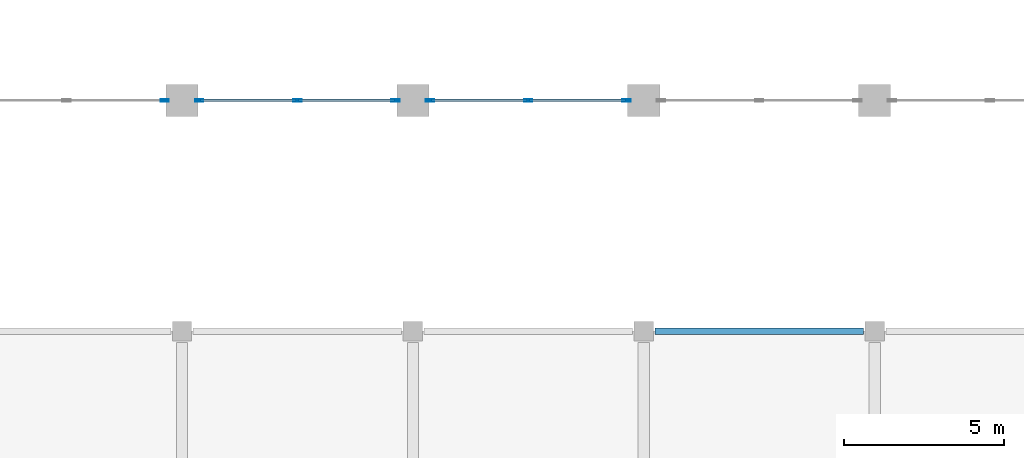
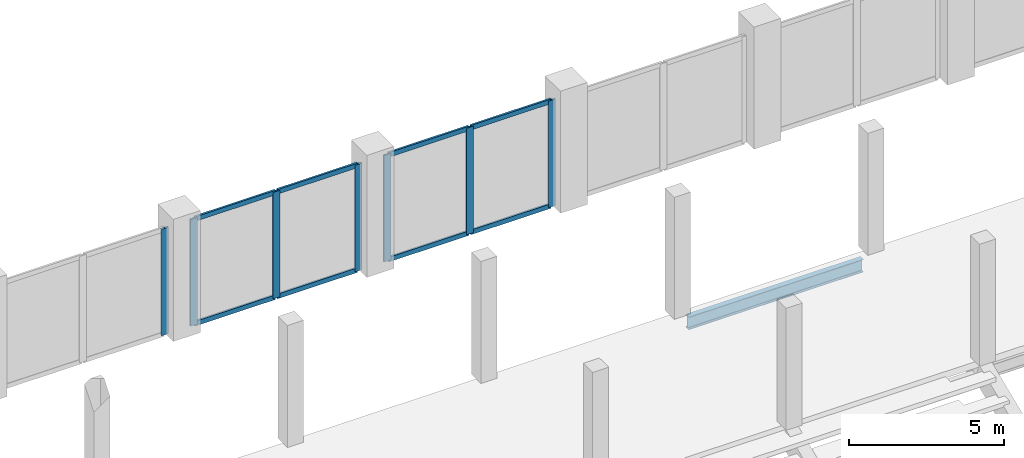
# One storey, part 34 of 99: 15 members, 1 beam, 3 elements without a shape of their own.
"""IFC4 building model written with IfcOpenShell, lengths in metres."""

from ifc_helpers import new_model, si_unit, direction, frame, origin, origin_2d, place, context, subcontext, project, spatial, hollow_rectangle, i_section, extrude, material, material_profile, profile_set, type_object, element, aggregate, save


model = new_model("IFC4")

# Units and contexts
model_context = context("Model", 3, precision=1e-05, world=origin(), true_north=direction((0.0, 1.0)))
body_context = subcontext(model_context, "Body", "Model", "MODEL_VIEW")
ifc_project = project(units=[si_unit("LENGTHUNIT", "METRE"), si_unit("AREAUNIT", "SQUARE_METRE"), si_unit("VOLUMEUNIT", "CUBIC_METRE"), si_unit("PLANEANGLEUNIT", "RADIAN"), si_unit("MASSUNIT", "GRAM", prefix="KILO")], contexts=[model_context])

# Site, building, storey
site_placement = place(None, origin())
site = spatial("IfcSite", under=ifc_project, at=site_placement, CompositionType="ELEMENT")
building_placement = place(site_placement, origin())
building = spatial("IfcBuilding", under=site, at=building_placement, Name="Vesperath Aquatics Centre", CompositionType="ELEMENT")
storey_placement = place(building_placement, frame((0.0, 0.0, 5.39990234375)))
storey = spatial("IfcBuildingStorey", under=building, at=storey_placement, Name="L01", CompositionType="ELEMENT", Elevation=5.39990234375)

# Beam
ifc_material_1 = material(Name="Steel Q355D", Category="steel")
ifc_material_profile_1 = material_profile(ifc_material_1, i_section(OverallWidth=0.199951171875, OverallDepth=0.5, WebThickness=0.010009765625, FlangeThickness=0.01611328125, FilletRadius=0.02001953125, at=origin_2d()), Name="HN 500x200x10x16")
ifc_profile_set_1 = profile_set([ifc_material_profile_1], Name="Steel Q355D")
beam_type = type_object("IfcBeamType", Name="BM-SP01", PredefinedType="SPANDREL", material=ifc_profile_set_1)
beam_placement = place(storey_placement, frame((79.550048828125, 79.199951171875, -0.510009765625), z_axis=(1.0, 0.0, 0.0), x_axis=(0.0, 1.0, 0.0)))
element("IfcBeam", 1, at=beam_placement, inside=storey, type_object=beam_type, Name="Floor Girder SP01 L01 M 12-13", PredefinedType="SPANDREL", context=body_context, shape_type="SweptSolid", body=[
    extrude(i_section(OverallWidth=0.199951171875, OverallDepth=0.5, WebThickness=0.010009765625, FlangeThickness=0.01611328125, FilletRadius=0.02001953125, at=origin_2d()), origin(), (0.0, 0.0, 1.0), 6.5),
])

# Curtain wall, member
ifc_material_2 = material(Name="Thermally broken anodised bronze aluminium curtain wall", Category="aluminium")
curtain_wall_type = type_object("IfcCurtainWallType", Name="CW-02", PredefinedType="NOTDEFINED", material=ifc_material_2)
curtain_wall_1_placement = place(storey_placement, origin())
curtain_wall_1 = element("IfcCurtainWall", 2, at=curtain_wall_1_placement, inside=storey, type_object=curtain_wall_type, Name="Facade Curtain Wall CW02 L01_N_08_12", PredefinedType="NOTDEFINED")
ifc_material_3 = material(Name="Thermally broken anodised aluminium", Category="aluminium")
ifc_material_profile_2 = material_profile(ifc_material_3, hollow_rectangle(XDim=0.074951171875, YDim=0.260009765625, WallThickness=0.006103515625, at=origin_2d()), Name="CWM 75x260x6")
ifc_profile_set_2 = profile_set([ifc_material_profile_2], Name="Thermally broken anodised aluminium")
member_type_1 = type_object("IfcMemberType", Name="MB-CWM1", PredefinedType="MULLION", material=ifc_profile_set_2)
member_1_placement = place(storey_placement, frame((64.262451171875, 86.39990234375, 0.0), z_axis=(0.0, 0.0, 1.0), x_axis=(0.0, 1.0, 0.0)))
member_1 = element("IfcMember", 3, at=member_1_placement, type_object=member_type_1, Name="CW02 mullion 3", PredefinedType="MULLION", context=body_context, shape_type="SweptSolid", body=[
    extrude(hollow_rectangle(XDim=0.074951171875, YDim=0.260009765625, WallThickness=0.006103515625, at=origin_2d()), origin(), (0.0, 0.0, 1.0), 4.190185546875),
])
aggregate(curtain_wall_1, [member_1])

# Curtain wall, members
curtain_wall_2_placement = place(storey_placement, origin())
curtain_wall_2 = element("IfcCurtainWall", 4, at=curtain_wall_2_placement, inside=storey, type_object=curtain_wall_type, Name="Facade Curtain Wall CW02 L01_N_09_12", PredefinedType="NOTDEFINED")
member_2_placement = place(storey_placement, frame((65.33740234375, 86.39990234375, 0.0), z_axis=(0.0, 0.0, 1.0), x_axis=(0.0, 1.0, 0.0)))
member_2 = element("IfcMember", 5, at=member_2_placement, type_object=member_type_1, Name="CW02 mullion 1", PredefinedType="MULLION", context=body_context, shape_type="SweptSolid", body=[
    extrude(hollow_rectangle(XDim=0.074951171875, YDim=0.260009765625, WallThickness=0.006103515625, at=origin_2d()), origin(), (0.0, 0.0, 1.0), 4.190185546875),
])
member_3_placement = place(storey_placement, frame((68.39990234375, 86.39990234375, 0.0), z_axis=(0.0, 0.0, 1.0), x_axis=(0.0, 1.0, 0.0)))
member_3 = element("IfcMember", 6, at=member_3_placement, type_object=member_type_1, Name="CW02 mullion 2", PredefinedType="MULLION", context=body_context, shape_type="SweptSolid", body=[
    extrude(hollow_rectangle(XDim=0.074951171875, YDim=0.260009765625, WallThickness=0.006103515625, at=origin_2d()), origin(), (0.0, 0.0, 1.0), 4.190185546875),
])
member_4_placement = place(storey_placement, frame((71.46240234375, 86.39990234375, 0.0), z_axis=(0.0, 0.0, 1.0), x_axis=(0.0, 1.0, 0.0)))
member_4 = element("IfcMember", 7, at=member_4_placement, type_object=member_type_1, Name="CW02 mullion 3", PredefinedType="MULLION", context=body_context, shape_type="SweptSolid", body=[
    extrude(hollow_rectangle(XDim=0.074951171875, YDim=0.260009765625, WallThickness=0.006103515625, at=origin_2d()), origin(), (0.0, 0.0, 1.0), 4.190185546875),
])

curtain_wall_3_placement = place(storey_placement, origin())
curtain_wall_3 = element("IfcCurtainWall", 8, at=curtain_wall_3_placement, inside=storey, type_object=curtain_wall_type, Name="Facade Curtain Wall CW02 L01_N_10_12", PredefinedType="NOTDEFINED")
member_5_placement = place(storey_placement, frame((72.53759765625, 86.39990234375, 0.0), z_axis=(0.0, 0.0, 1.0), x_axis=(0.0, 1.0, 0.0)))
member_5 = element("IfcMember", 9, at=member_5_placement, type_object=member_type_1, Name="CW02 mullion 1", PredefinedType="MULLION", context=body_context, shape_type="SweptSolid", body=[
    extrude(hollow_rectangle(XDim=0.074951171875, YDim=0.260009765625, WallThickness=0.006103515625, at=origin_2d()), origin(), (0.0, 0.0, 1.0), 4.190185546875),
])
member_6_placement = place(storey_placement, frame((75.60009765625, 86.39990234375, 0.0), z_axis=(0.0, 0.0, 1.0), x_axis=(0.0, 1.0, 0.0)))
member_6 = element("IfcMember", 10, at=member_6_placement, type_object=member_type_1, Name="CW02 mullion 2", PredefinedType="MULLION", context=body_context, shape_type="SweptSolid", body=[
    extrude(hollow_rectangle(XDim=0.074951171875, YDim=0.260009765625, WallThickness=0.006103515625, at=origin_2d()), origin(), (0.0, 0.0, 1.0), 4.190185546875),
])
member_7_placement = place(storey_placement, frame((78.66259765625, 86.39990234375, 0.0), z_axis=(0.0, 0.0, 1.0), x_axis=(0.0, 1.0, 0.0)))
member_7 = element("IfcMember", 11, at=member_7_placement, type_object=member_type_1, Name="CW02 mullion 3", PredefinedType="MULLION", context=body_context, shape_type="SweptSolid", body=[
    extrude(hollow_rectangle(XDim=0.074951171875, YDim=0.260009765625, WallThickness=0.006103515625, at=origin_2d()), origin(), (0.0, 0.0, 1.0), 4.190185546875),
])

# Member
ifc_material_profile_3 = material_profile(ifc_material_3, hollow_rectangle(XDim=0.074951171875, YDim=0.179931640625, WallThickness=0.0048828125, at=origin_2d()), Name="CWT 75x180x5")
ifc_profile_set_3 = profile_set([ifc_material_profile_3], Name="Thermally broken anodised aluminium")
member_type_2 = type_object("IfcMemberType", Name="MB-CWT1", PredefinedType="USERDEFINED", material=ifc_profile_set_3)
member_8_placement = place(storey_placement, frame((65.375, 86.39990234375, 0.03759765625), z_axis=(1.0, 0.0, 0.0), x_axis=(0.0, 1.0, 0.0)))
member_8 = element("IfcMember", 12, at=member_8_placement, type_object=member_type_2, Name="CW02 transom 1.1", ObjectType="TRANSOM", PredefinedType="USERDEFINED", context=body_context, shape_type="SweptSolid", body=[
    extrude(hollow_rectangle(XDim=0.074951171875, YDim=0.179931640625, WallThickness=0.0048828125, at=origin_2d()), origin(), (0.0, 0.0, 1.0), 2.987548828125),
])

member_9_placement = place(storey_placement, frame((65.375, 86.39990234375, 4.152587890625), z_axis=(1.0, 0.0, 0.0), x_axis=(0.0, 1.0, 0.0)))
member_9 = element("IfcMember", 13, at=member_9_placement, type_object=member_type_2, Name="CW02 transom 1.2", ObjectType="TRANSOM", PredefinedType="USERDEFINED", context=body_context, shape_type="SweptSolid", body=[
    extrude(hollow_rectangle(XDim=0.074951171875, YDim=0.179931640625, WallThickness=0.0048828125, at=origin_2d()), origin(), (0.0, 0.0, 1.0), 2.987548828125),
])

member_10_placement = place(storey_placement, frame((68.4375, 86.39990234375, 0.03759765625), z_axis=(1.0, 0.0, 0.0), x_axis=(0.0, 1.0, 0.0)))
member_10 = element("IfcMember", 14, at=member_10_placement, type_object=member_type_2, Name="CW02 transom 2.1", ObjectType="TRANSOM", PredefinedType="USERDEFINED", context=body_context, shape_type="SweptSolid", body=[
    extrude(hollow_rectangle(XDim=0.074951171875, YDim=0.179931640625, WallThickness=0.0048828125, at=origin_2d()), origin(), (0.0, 0.0, 1.0), 2.987548828125),
])

member_11_placement = place(storey_placement, frame((68.4375, 86.39990234375, 4.152587890625), z_axis=(1.0, 0.0, 0.0), x_axis=(0.0, 1.0, 0.0)))
member_11 = element("IfcMember", 15, at=member_11_placement, type_object=member_type_2, Name="CW02 transom 2.2", ObjectType="TRANSOM", PredefinedType="USERDEFINED", context=body_context, shape_type="SweptSolid", body=[
    extrude(hollow_rectangle(XDim=0.074951171875, YDim=0.179931640625, WallThickness=0.0048828125, at=origin_2d()), origin(), (0.0, 0.0, 1.0), 2.987548828125),
])

aggregate(curtain_wall_2, [member_2, member_3, member_4, member_8, member_9, member_10, member_11])

member_12_placement = place(storey_placement, frame((72.574951171875, 86.39990234375, 0.03759765625), z_axis=(1.0, 0.0, 0.0), x_axis=(0.0, 1.0, 0.0)))
member_12 = element("IfcMember", 16, at=member_12_placement, type_object=member_type_2, Name="CW02 transom 1.1", ObjectType="TRANSOM", PredefinedType="USERDEFINED", context=body_context, shape_type="SweptSolid", body=[
    extrude(hollow_rectangle(XDim=0.074951171875, YDim=0.179931640625, WallThickness=0.0048828125, at=origin_2d()), origin(), (0.0, 0.0, 1.0), 2.987548828125),
])

member_13_placement = place(storey_placement, frame((72.574951171875, 86.39990234375, 4.152587890625), z_axis=(1.0, 0.0, 0.0), x_axis=(0.0, 1.0, 0.0)))
member_13 = element("IfcMember", 17, at=member_13_placement, type_object=member_type_2, Name="CW02 transom 1.2", ObjectType="TRANSOM", PredefinedType="USERDEFINED", context=body_context, shape_type="SweptSolid", body=[
    extrude(hollow_rectangle(XDim=0.074951171875, YDim=0.179931640625, WallThickness=0.0048828125, at=origin_2d()), origin(), (0.0, 0.0, 1.0), 2.987548828125),
])

member_14_placement = place(storey_placement, frame((75.637451171875, 86.39990234375, 0.03759765625), z_axis=(1.0, 0.0, 0.0), x_axis=(0.0, 1.0, 0.0)))
member_14 = element("IfcMember", 18, at=member_14_placement, type_object=member_type_2, Name="CW02 transom 2.1", ObjectType="TRANSOM", PredefinedType="USERDEFINED", context=body_context, shape_type="SweptSolid", body=[
    extrude(hollow_rectangle(XDim=0.074951171875, YDim=0.179931640625, WallThickness=0.0048828125, at=origin_2d()), origin(), (0.0, 0.0, 1.0), 2.987548828125),
])

member_15_placement = place(storey_placement, frame((75.637451171875, 86.39990234375, 4.152587890625), z_axis=(1.0, 0.0, 0.0), x_axis=(0.0, 1.0, 0.0)))
member_15 = element("IfcMember", 19, at=member_15_placement, type_object=member_type_2, Name="CW02 transom 2.2", ObjectType="TRANSOM", PredefinedType="USERDEFINED", context=body_context, shape_type="SweptSolid", body=[
    extrude(hollow_rectangle(XDim=0.074951171875, YDim=0.179931640625, WallThickness=0.0048828125, at=origin_2d()), origin(), (0.0, 0.0, 1.0), 2.987548828125),
])

aggregate(curtain_wall_3, [member_5, member_6, member_7, member_12, member_13, member_14, member_15])

save(model, "model.ifc")
